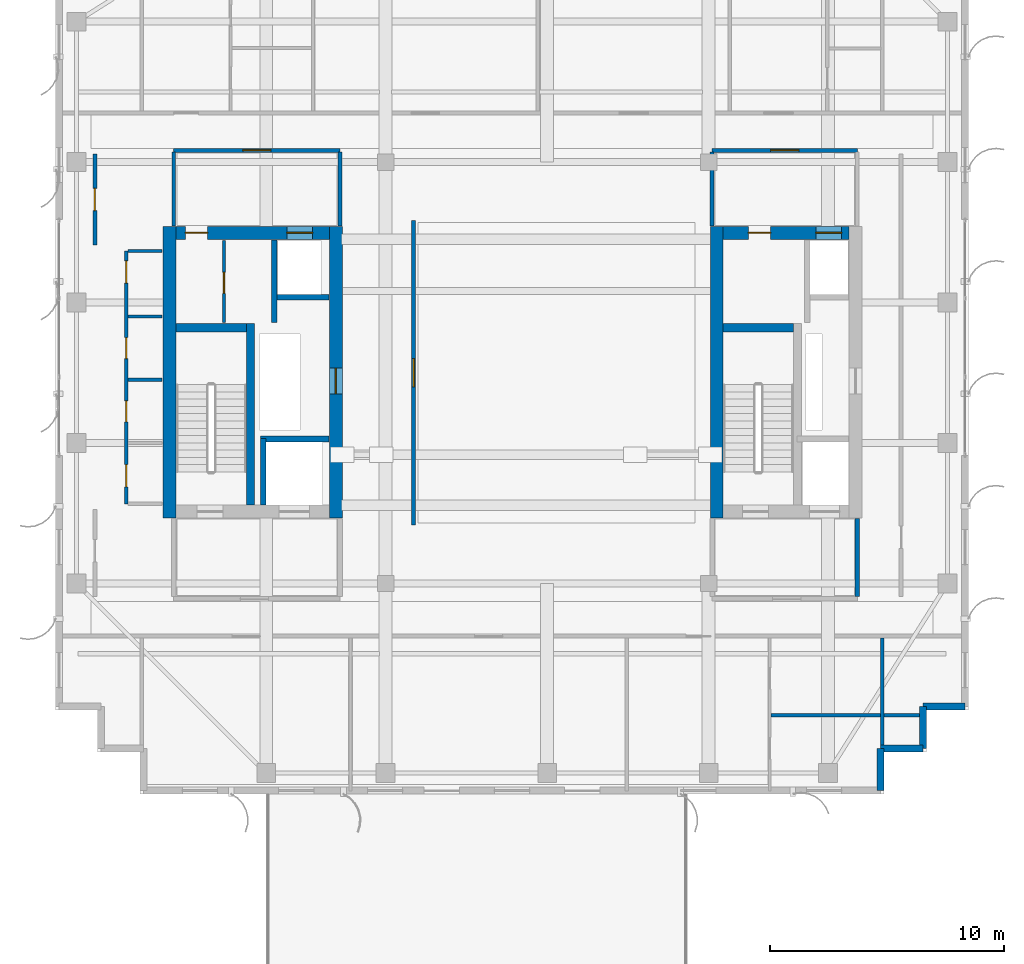
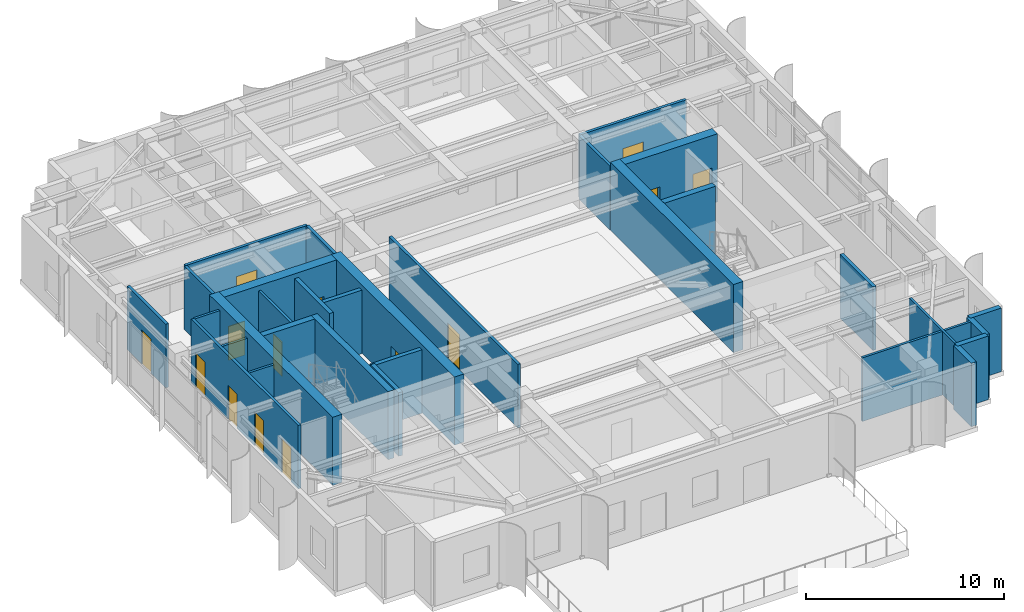
# One storey, part 14 of 19: 31 walls, 14 doors, 14 openings.
"""IFC4 building model written with IfcOpenShell, lengths in metres."""

import ifcopenshell
import ifcopenshell.guid

model = None  # the IFC model being written
_history = None  # IfcOwnerHistory: only IFC2X3 demands one
_inside = {}  # id of a spatial element -> (the spatial element, [elements in it])
_under = {}  # id of a project, library or spatial element -> (it, [spatial elements below it])
_declared = {}  # id of a project -> (the project, [libraries it declares])
_typed = {}  # id of a type object -> (the type object, [elements of that type])
_made_of = {}  # id of a material, layer set ... -> (it, [elements and type objects made of it])


def new_model(schema):
    """Start an empty IFC model of exactly this schema.

    Asked for "IFC4X3", IfcOpenShell would pick the latest addendum, in which some entities
    have other attributes; the version numbers below select the first issue.
    IFC2X3 requires an IfcOwnerHistory on every rooted entity: one is made here for all.
    """
    global model, _history
    if schema == "IFC4X3":
        model = ifcopenshell.file(schema_version=(4, 3, 0, 0))
    else:
        model = ifcopenshell.file(schema=schema)
    _inside.clear()
    _under.clear()
    _declared.clear()
    _typed.clear()
    _made_of.clear()
    _history = None
    if model.schema == "IFC2X3":
        org = make("IfcOrganization", Name="unknown")
        user = make(
            "IfcPersonAndOrganization",
            ThePerson=make("IfcPerson", FamilyName="unknown"),
            TheOrganization=org,
        )
        app = make(
            "IfcApplication",
            ApplicationDeveloper=org,
            Version="unknown",
            ApplicationFullName="unknown",
            ApplicationIdentifier="unknown",
        )
        _history = make(
            "IfcOwnerHistory",
            OwningUser=user,
            OwningApplication=app,
            ChangeAction="ADDED",
            CreationDate=0,
        )
    return model


def make(cls, **values):
    """One entity of the class cls with the attributes given. An attribute that is None is left unset."""
    return model.create_entity(
        cls, **{name: value for name, value in values.items() if value is not None}
    )


def rooted(cls, **values):
    """An entity with a GlobalId (a new one), such as an element, a storey or a relation."""
    return make(cls, GlobalId=ifcopenshell.guid.new(), OwnerHistory=_history, **values)


def si_unit(unit_type, name, prefix=None):
    """IfcSIUnit, for example si_unit("LENGTHUNIT", "METRE", prefix="MILLI")."""
    return make("IfcSIUnit", UnitType=unit_type, Prefix=prefix, Name=name)


def assignment(units):
    """IfcUnitAssignment: the units of a project."""
    return None if units is None else make("IfcUnitAssignment", Units=units)


def point(xyz):
    """IfcCartesianPoint."""
    return None if xyz is None else make("IfcCartesianPoint", Coordinates=xyz)


def direction(xyz):
    """IfcDirection."""
    return None if xyz is None else make("IfcDirection", DirectionRatios=xyz)


def frame(location, z_axis=None, x_axis=None):
    """IfcAxis2Placement3D, a coordinate frame: its origin and axes. An axis left out is left unset."""
    return make(
        "IfcAxis2Placement3D",
        Location=point(location),
        Axis=direction(z_axis),
        RefDirection=direction(x_axis),
    )


def frame_2d(location, x_axis=None):
    """IfcAxis2Placement2D, a coordinate frame in the plane: its origin and x axis."""
    return make(
        "IfcAxis2Placement2D", Location=point(location), RefDirection=direction(x_axis)
    )


def origin():
    """The frame at (0, 0, 0) with its axes left unset."""
    return frame((0.0, 0.0, 0.0))


def place(relative_to, where):
    """IfcLocalPlacement: puts the frame where relative to a parent placement (None: the world)."""
    return make(
        "IfcLocalPlacement", PlacementRelTo=relative_to, RelativePlacement=where
    )


def context(
    kind, dimensions, precision=None, world=None, true_north=None, identifier=None
):
    """IfcGeometricRepresentationContext, for example the 3D "Model" context."""
    return make(
        "IfcGeometricRepresentationContext",
        ContextIdentifier=identifier,
        ContextType=kind,
        CoordinateSpaceDimension=dimensions,
        Precision=precision,
        WorldCoordinateSystem=world,
        TrueNorth=true_north,
    )


def subcontext(parent, identifier, kind, view, scale=None):
    """IfcGeometricRepresentationSubContext, for example "Body" below "Model"."""
    return make(
        "IfcGeometricRepresentationSubContext",
        ContextIdentifier=identifier,
        ContextType=kind,
        ParentContext=parent,
        TargetScale=scale,
        TargetView=view,
    )


def project(units=None, contexts=None):
    """IfcProject with its units and contexts."""
    return rooted(
        "IfcProject",
        Name="project",
        RepresentationContexts=contexts,
        UnitsInContext=assignment(units),
    )


def spatial(cls, under=None, at=None, **own):
    """A site, building, storey or space (cls), placed at a placement, below another one or the project."""
    s = rooted(cls, ObjectPlacement=at, **own)
    if under is not None:
        _under.setdefault(under.id(), (under, []))[1].append(s)
    return s


def profile(cls, at=None, kind="AREA", **sizes):
    """A parametric profile (cls). Its sizes go by their IFC names, for example OverallWidth=200.0."""
    return make(cls, ProfileType=kind, Position=at, **sizes)


def rectangle(**sizes):
    """IfcRectangleProfileDef."""
    return profile("IfcRectangleProfileDef", **sizes)


def extrude(swept, where, along, depth):
    """IfcExtrudedAreaSolid: the profile swept, set in the frame where, extruded along a direction by depth."""
    return make(
        "IfcExtrudedAreaSolid",
        SweptArea=swept,
        Position=where,
        ExtrudedDirection=direction(along),
        Depth=depth,
    )


def shape(context_of_items, identifier, shape_type, items):
    """IfcShapeRepresentation: the items that make up one representation, for example the "Body"."""
    return make(
        "IfcShapeRepresentation",
        ContextOfItems=context_of_items,
        RepresentationIdentifier=identifier,
        RepresentationType=shape_type,
        Items=items,
    )


def source(mapping_origin, context_of_items, identifier, shape_type, items):
    """IfcRepresentationMap: a shape defined once, which mapped items show again and again."""
    return make(
        "IfcRepresentationMap",
        MappingOrigin=mapping_origin,
        MappedRepresentation=shape(context_of_items, identifier, shape_type, items),
    )


def transform(
    local_origin,
    x_axis=None,
    y_axis=None,
    z_axis=None,
    scale=None,
    scale2=None,
    scale3=None,
    uniform=True,
):
    """IfcCartesianTransformationOperator3D, or its non-uniform kind. x_axis, y_axis, z_axis: its Axis1, 2, 3."""
    if uniform:
        return make(
            "IfcCartesianTransformationOperator3D",
            Axis1=direction(x_axis),
            Axis2=direction(y_axis),
            LocalOrigin=point(local_origin),
            Scale=scale,
            Axis3=direction(z_axis),
        )
    return make(
        "IfcCartesianTransformationOperator3DnonUniform",
        Axis1=direction(x_axis),
        Axis2=direction(y_axis),
        LocalOrigin=point(local_origin),
        Scale=scale,
        Axis3=direction(z_axis),
        Scale2=scale2,
        Scale3=scale3,
    )


def mapped(mapping_source, mapping_target):
    """IfcMappedItem: shows the shape of a source again, moved by a transform."""
    return make(
        "IfcMappedItem", MappingSource=mapping_source, MappingTarget=mapping_target
    )


def material(Name=None, Category=None):
    """IfcMaterial."""
    return make("IfcMaterial", Name=Name, Category=Category)


def layer(
    of_material, thickness, ventilated=None, Name=None, Category=None, Priority=None
):
    """IfcMaterialLayer: one layer of a wall or slab, of a material (None: an air gap)."""
    return make(
        "IfcMaterialLayer",
        Material=of_material,
        LayerThickness=thickness,
        IsVentilated=ventilated,
        Name=Name,
        Category=Category,
        Priority=Priority,
    )


def layer_set(layers, Name=None):
    """IfcMaterialLayerSet."""
    return make("IfcMaterialLayerSet", MaterialLayers=layers, LayerSetName=Name)


def made_of(thing, what):
    """Note that an element or type object is made of a material, layer set ...; save() writes the relation."""
    if what is not None:
        _made_of.setdefault(what.id(), (what, []))[1].append(thing)
    return thing


def type_object(cls, material=None, **own):
    """A type object (cls), such as IfcWallType, which elements share."""
    return made_of(rooted(cls, **own), material)


def element(
    cls,
    number,
    at=None,
    inside=None,
    cuts=None,
    type_object=None,
    material=None,
    context=None,
    identifier="Body",
    shape_type=None,
    held_by="IfcProductDefinitionShape",
    body=None,
    shapes=None,
    **own,
):
    """One element of the class cls, such as IfcWall. Its Tag is "e" and its number.

    at: its placement. inside: the storey or other place that contains it. cuts: it is an
    opening in that element (IfcRelVoidsElement). A single representation is given by context,
    identifier, shape_type and body (its items); several are given by shapes. held_by: the class
    of the entity that holds the representations. save() writes the other relations.
    """
    e = rooted(cls, Tag="e%d" % number, ObjectPlacement=at, **own)
    if body is not None:
        shapes = [shape(context, identifier, shape_type, body)]
    if shapes is not None:
        e.Representation = make(held_by, Representations=shapes)
    if inside is not None:
        _inside.setdefault(inside.id(), (inside, []))[1].append(e)
    if cuts is not None:
        rooted(
            "IfcRelVoidsElement", RelatingBuildingElement=cuts, RelatedOpeningElement=e
        )
    if type_object is not None:
        _typed.setdefault(type_object.id(), (type_object, []))[1].append(e)
    return made_of(e, material)


def fill(opening, filler):
    """IfcRelFillsElement: the door or window that sits in an opening."""
    return rooted(
        "IfcRelFillsElement",
        RelatingOpeningElement=opening,
        RelatedBuildingElement=filler,
    )


def aggregate(whole, parts):
    """IfcRelAggregates: a whole, such as a stair, and the parts it consists of."""
    return rooted("IfcRelAggregates", RelatingObject=whole, RelatedObjects=parts)


def save(model, path):
    """Write the relations noted so far, then the file.

    IfcRelAggregates (storeys below a building ...), IfcRelContainedInSpatialStructure (elements
    in a storey), IfcRelDefinesByType, IfcRelAssociatesMaterial and IfcRelDeclares: one each for
    every whole, place, type object, material and project.
    """
    for whole, parts in _under.values():
        aggregate(whole, parts)
    for where, things in _inside.values():
        rooted(
            "IfcRelContainedInSpatialStructure",
            RelatedElements=things,
            RelatingStructure=where,
        )
    for kind, things in _typed.values():
        rooted("IfcRelDefinesByType", RelatedObjects=things, RelatingType=kind)
    for what, things in _made_of.values():
        rooted("IfcRelAssociatesMaterial", RelatedObjects=things, RelatingMaterial=what)
    for by, libraries in _declared.values():
        rooted("IfcRelDeclares", RelatingContext=by, RelatedDefinitions=libraries)
    model.write(path)


model = new_model("IFC4")

# Units and contexts
model_context = context("Model", 3, precision=1e-05, world=origin(), true_north=direction((0.0, 1.0)))
body_context = subcontext(model_context, "Body", "Model", "MODEL_VIEW")
ifc_project = project(units=[si_unit("LENGTHUNIT", "METRE"), si_unit("AREAUNIT", "SQUARE_METRE"), si_unit("VOLUMEUNIT", "CUBIC_METRE"), si_unit("PLANEANGLEUNIT", "RADIAN"), si_unit("MASSUNIT", "GRAM", prefix="KILO")], contexts=[model_context])

# Site, building, storey
site_placement = place(None, origin())
site = spatial("IfcSite", under=ifc_project, at=site_placement, CompositionType="ELEMENT")
building_placement = place(site_placement, origin())
building = spatial("IfcBuilding", under=site, at=building_placement, Name="Khoralis Quay Care Tower", CompositionType="ELEMENT")
storey_placement = place(building_placement, frame((0.0, 0.0, 285.300048828125)))
storey = spatial("IfcBuildingStorey", under=building, at=storey_placement, Name="L75", CompositionType="ELEMENT", Elevation=285.300048828125)

# Walls
ifc_material_1 = material(Name="Gypsum plasterboard on acoustic metal stud")
ifc_layer_1 = layer(ifc_material_1, 0.199951171875)
ifc_layer_set_1 = layer_set([ifc_layer_1], Name="Gypsum plasterboard on acoustic metal stud")
wall_type_1 = type_object("IfcWallType", Name="WL-COMP-200", PredefinedType="PARTITIONING", material=ifc_layer_set_1)
wall_1_placement = place(storey_placement, frame((37.25, 11.445068359375, 0.0), z_axis=(0.0, 0.0, 1.0), x_axis=(0.0, 1.0, 0.0)))
element("IfcWall", 1, at=wall_1_placement, inside=storey, type_object=wall_type_1, Name="L75 East Firefighting Lobby East Wall", PredefinedType="PARTITIONING", context=body_context, shape_type="SweptSolid", body=[
    extrude(rectangle(XDim=3.3349609375, YDim=0.199951171875, at=frame_2d((1.66748046875, 0.0))), origin(), (0.0, 0.0, 1.0), 3.919921875),
])
ifc_material_2 = material(Name="Concrete C65/80", Category="concrete")
ifc_layer_2 = layer(ifc_material_2, 0.550048828125)
ifc_layer_set_2 = layer_set([ifc_layer_2], Name="Concrete C65/80")
wall_type_2 = type_object("IfcWallType", Name="WL-CORE-550", PredefinedType="SHEAR", material=ifc_layer_set_2)
wall_2_placement = place(storey_placement, frame((7.875, 14.800048828125, 0.0), z_axis=(0.0, 0.0, 1.0), x_axis=(0.0, 1.0, 0.0)))
element("IfcWall", 2, at=wall_2_placement, inside=storey, type_object=wall_type_2, Name="L75 WCORE West Shear Wall", PredefinedType="SHEAR", context=body_context, shape_type="SweptSolid", body=[
    extrude(rectangle(XDim=12.449951171875, YDim=0.550048828125, at=frame_2d((6.22509765625, 0.0))), origin(), (0.0, 0.0, 1.0), 4.199951171875),
])

# Wall, opening, door
wall_3_placement = place(storey_placement, frame((14.97509765625, 14.800048828125, 0.0), z_axis=(0.0, 0.0, 1.0), x_axis=(0.0, 1.0, 0.0)))
wall_3 = element("IfcWall", 3, at=wall_3_placement, inside=storey, type_object=wall_type_2, Name="L75 WCORE East Shear Wall", PredefinedType="SHEAR", context=body_context, shape_type="SweptSolid", body=[
    extrude(rectangle(XDim=12.449951171875, YDim=0.550048828125, at=frame_2d((6.22509765625, 0.0))), origin(), (0.0, 0.0, 1.0), 4.199951171875),
])
opening_1_placement = place(wall_3_placement, frame((5.300048828125, 0.0, 0.0)))
opening_1 = element("IfcOpeningElement", 4, at=opening_1_placement, cuts=wall_3, Name="Opening SD1", PredefinedType="OPENING", context=body_context, shape_type="SweptSolid", body=[
    extrude(rectangle(XDim=1.10009765625, YDim=2.199951171875, at=frame_2d((0.550048828125, 1.10009765625))), frame((0.0, 0.28515625, 0.0), z_axis=(0.0, -1.0, 0.0), x_axis=(1.0, 0.0, 0.0)), (0.0, 0.0, 1.0), 0.570068359375),
])
ifc_material_3 = material(Name="Fire-rated painted steel", Category="steel")
door_type_1 = type_object("IfcDoorType", Name="DR-STAIR-1100X2200", OperationType="NOTDEFINED", PredefinedType="DOOR", material=ifc_material_3)
shared_shape_1 = source(origin(), body_context, "Body", "SweptSolid", [
    extrude(rectangle(XDim=1.10009765625, YDim=2.199951171875, at=frame_2d((0.550048828125, 1.10009765625))), frame((0.0, 0.02490234375, 0.0), z_axis=(0.0, -1.0, 0.0), x_axis=(1.0, 0.0, 0.0)), (0.0, 0.0, 1.0), 0.050048828125),
])
door_1_placement = place(opening_1_placement, origin())
door_1 = element("IfcDoor", 5, at=door_1_placement, inside=storey, type_object=door_type_1, Name="L75 West MEP Riser Door", OperationType="SINGLE_SWING_LEFT", OverallHeight=2.199951171875, OverallWidth=1.10009765625, PredefinedType="DOOR", context=body_context, shape_type="MappedRepresentation", body=[
    mapped(shared_shape_1, transform((0.0, 0.0, 0.0), scale=1.0)),
])
fill(opening_1, door_1)

# Wall, openings, doors
wall_4_placement = place(storey_placement, frame((8.14990234375, 26.97509765625, 0.0), z_axis=(0.0, 0.0, 1.0), x_axis=(1.0, 0.0, 0.0)))
wall_4 = element("IfcWall", 6, at=wall_4_placement, inside=storey, type_object=wall_type_2, Name="L75 WCORE North Shear Wall", PredefinedType="SHEAR", context=body_context, shape_type="SweptSolid", body=[
    extrude(rectangle(XDim=6.550048828125, YDim=0.550048828125, at=frame_2d((3.27490234375, 0.0))), origin(), (0.0, 0.0, 1.0), 4.199951171875),
])
opening_2_placement = place(wall_4_placement, frame((0.39990234375, 0.0, 0.0)))
opening_2 = element("IfcOpeningElement", 7, at=opening_2_placement, cuts=wall_4, Name="Opening ID1", PredefinedType="OPENING", context=body_context, shape_type="SweptSolid", body=[
    extrude(rectangle(XDim=0.949951171875, YDim=2.10009765625, at=frame_2d((0.47509765625, 1.050048828125))), frame((0.0, 0.28515625, 0.0), z_axis=(0.0, -1.0, 0.0), x_axis=(1.0, 0.0, 0.0)), (0.0, 0.0, 1.0), 0.570068359375),
])
opening_3_placement = place(wall_4_placement, frame((4.72998046875, 0.0, 0.0)))
opening_3 = element("IfcOpeningElement", 8, at=opening_3_placement, cuts=wall_4, Name="Opening LD1", PredefinedType="OPENING", context=body_context, shape_type="SweptSolid", body=[
    extrude(rectangle(XDim=1.10009765625, YDim=2.199951171875, at=frame_2d((0.550048828125, 1.10009765625))), frame((0.0, 0.28515625, 0.0), z_axis=(0.0, -1.0, 0.0), x_axis=(1.0, 0.0, 0.0)), (0.0, 0.0, 1.0), 0.570068359375),
])
ifc_material_4 = material(Name="Brushed stainless steel", Category="steel")
door_type_2 = type_object("IfcDoorType", Name="DR-LIFT-1100X2200", OperationType="SLIDING_TO_LEFT", PredefinedType="DOOR", material=ifc_material_4)
shared_shape_2 = source(origin(), body_context, "Body", "SweptSolid", [
    extrude(rectangle(XDim=1.10009765625, YDim=2.199951171875, at=frame_2d((0.550048828125, 1.10009765625))), frame((0.0, 0.02490234375, 0.0), z_axis=(0.0, -1.0, 0.0), x_axis=(1.0, 0.0, 0.0)), (0.0, 0.0, 1.0), 0.050048828125),
])
door_2_placement = place(opening_3_placement, origin())
door_2 = element("IfcDoor", 9, at=door_2_placement, inside=storey, type_object=door_type_2, Name="L75 Lift PLH1 Landing Door", OperationType="SLIDING_TO_LEFT", OverallHeight=2.199951171875, OverallWidth=1.10009765625, PredefinedType="DOOR", context=body_context, shape_type="MappedRepresentation", body=[
    mapped(shared_shape_2, transform((0.0, 0.0, 0.0), scale=1.0)),
])
fill(opening_3, door_2)
ifc_material_5 = material(Name="Acoustic hardwood timber", Category="wood")
door_type_3 = type_object("IfcDoorType", Name="DR-ROOM-950X2100", OperationType="NOTDEFINED", PredefinedType="DOOR", material=ifc_material_5)
shared_shape_3 = source(origin(), body_context, "Body", "SweptSolid", [
    extrude(rectangle(XDim=0.949951171875, YDim=2.10009765625, at=frame_2d((0.47509765625, 1.050048828125))), frame((0.0, 0.02490234375, 0.0), z_axis=(0.0, -1.0, 0.0), x_axis=(1.0, 0.0, 0.0)), (0.0, 0.0, 1.0), 0.050048828125),
])
door_3_placement = place(opening_2_placement, frame((0.949951171875, 0.0, 0.0), z_axis=(0.0, 0.0, 1.0), x_axis=(-1.0, 0.0, 0.0)))
door_3 = element("IfcDoor", 10, at=door_3_placement, inside=storey, type_object=door_type_3, Name="L75 Telemetry Study Door", OperationType="SINGLE_SWING_LEFT", OverallHeight=2.10009765625, OverallWidth=0.949951171875, PredefinedType="DOOR", context=body_context, shape_type="MappedRepresentation", body=[
    mapped(shared_shape_3, transform((0.0, 0.0, 0.0), scale=1.0)),
])
fill(opening_2, door_3)

# Wall
wall_5_placement = place(storey_placement, frame((31.2451171875, 14.800048828125, 0.0), z_axis=(0.0, 0.0, 1.0), x_axis=(0.0, 1.0, 0.0)))
element("IfcWall", 11, at=wall_5_placement, inside=storey, type_object=wall_type_2, Name="L75 ECORE West Shear Wall", PredefinedType="SHEAR", context=body_context, shape_type="SweptSolid", body=[
    extrude(rectangle(XDim=12.449951171875, YDim=0.550048828125, at=frame_2d((6.22509765625, 0.0))), origin(), (0.0, 0.0, 1.0), 4.199951171875),
])

# Wall, openings, doors
wall_6_placement = place(storey_placement, frame((31.52001953125, 26.97509765625, 0.0), z_axis=(0.0, 0.0, 1.0), x_axis=(1.0, 0.0, 0.0)))
wall_6 = element("IfcWall", 12, at=wall_6_placement, inside=storey, type_object=wall_type_2, Name="L75 ECORE North Shear Wall", PredefinedType="SHEAR", context=body_context, shape_type="SweptSolid", body=[
    extrude(rectangle(XDim=5.3798828125, YDim=0.550048828125, at=frame_2d((2.68994140625, 0.0))), origin(), (0.0, 0.0, 1.0), 4.199951171875),
])
opening_4_placement = place(wall_6_placement, frame((1.080078125, 0.0, 0.0)))
opening_4 = element("IfcOpeningElement", 13, at=opening_4_placement, cuts=wall_6, Name="Opening ID1", PredefinedType="OPENING", context=body_context, shape_type="SweptSolid", body=[
    extrude(rectangle(XDim=0.949951171875, YDim=2.10009765625, at=frame_2d((0.47509765625, 1.050048828125))), frame((0.0, 0.28515625, 0.0), z_axis=(0.0, -1.0, 0.0), x_axis=(1.0, 0.0, 0.0)), (0.0, 0.0, 1.0), 0.570068359375),
])
opening_5_placement = place(wall_6_placement, frame((3.9599609375, 0.0, 0.0)))
opening_5 = element("IfcOpeningElement", 14, at=opening_5_placement, cuts=wall_6, Name="Opening LD1", PredefinedType="OPENING", context=body_context, shape_type="SweptSolid", body=[
    extrude(rectangle(XDim=1.10009765625, YDim=2.199951171875, at=frame_2d((0.550048828125, 1.10009765625))), frame((0.0, 0.28515625, 0.0), z_axis=(0.0, -1.0, 0.0), x_axis=(1.0, 0.0, 0.0)), (0.0, 0.0, 1.0), 0.570068359375),
])
door_4_placement = place(opening_5_placement, origin())
door_4 = element("IfcDoor", 15, at=door_4_placement, inside=storey, type_object=door_type_2, Name="L75 Lift PLH2 Landing Door", OperationType="SLIDING_TO_LEFT", OverallHeight=2.199951171875, OverallWidth=1.10009765625, PredefinedType="DOOR", context=body_context, shape_type="MappedRepresentation", body=[
    mapped(shared_shape_2, transform((0.0, 0.0, 0.0), scale=1.0)),
])
fill(opening_5, door_4)
door_5_placement = place(opening_4_placement, frame((0.949951171875, 0.0, 0.0), z_axis=(0.0, 0.0, 1.0), x_axis=(-1.0, 0.0, 0.0)))
door_5 = element("IfcDoor", 16, at=door_5_placement, inside=storey, type_object=door_type_3, Name="L75 Rehab Gym Door", OperationType="SINGLE_SWING_RIGHT", OverallHeight=2.10009765625, OverallWidth=0.949951171875, PredefinedType="DOOR", context=body_context, shape_type="MappedRepresentation", body=[
    mapped(shared_shape_3, transform((0.0, 0.0, 0.0), scale=1.0)),
])
fill(opening_4, door_5)

# Wall, opening, door
ifc_layer_3 = layer(ifc_material_1, 0.1650390625)
ifc_layer_set_3 = layer_set([ifc_layer_3], Name="Gypsum plasterboard on acoustic metal stud")
wall_type_3 = type_object("IfcWallType", Name="WL-CORR-165", PredefinedType="PARTITIONING", material=ifc_layer_set_3)
wall_7_placement = place(storey_placement, frame((8.050048828125, 30.5, 0.0), z_axis=(0.0, 0.0, 1.0), x_axis=(1.0, 0.0, 0.0)))
wall_7 = element("IfcWall", 17, at=wall_7_placement, inside=storey, type_object=wall_type_3, Name="L75 West Lift Lobby North Wall", PredefinedType="PARTITIONING", context=body_context, shape_type="SweptSolid", body=[
    extrude(rectangle(XDim=7.099853515625, YDim=0.1650390625, at=frame_2d((3.5498046875, 0.0))), origin(), (0.0, 0.0, 1.0), 3.919921875),
])
opening_6_placement = place(wall_7_placement, frame((2.949951171875, 0.0, 0.0)))
opening_6 = element("IfcOpeningElement", 18, at=opening_6_placement, cuts=wall_7, Name="Opening FD1", PredefinedType="OPENING", context=body_context, shape_type="SweptSolid", body=[
    extrude(rectangle(XDim=1.199951171875, YDim=2.199951171875, at=frame_2d((0.60009765625, 1.10009765625))), frame((0.0, 0.092529296875, 0.0), z_axis=(0.0, -1.0, 0.0), x_axis=(1.0, 0.0, 0.0)), (0.0, 0.0, 1.0), 0.18505859375),
])
door_type_4 = type_object("IfcDoorType", Name="DR-FFL-1200X2200", OperationType="NOTDEFINED", PredefinedType="DOOR", material=ifc_material_3)
shared_shape_4 = source(origin(), body_context, "Body", "SweptSolid", [
    extrude(rectangle(XDim=1.199951171875, YDim=2.199951171875, at=frame_2d((0.60009765625, 1.10009765625))), frame((0.0, 0.02490234375, 0.0), z_axis=(0.0, -1.0, 0.0), x_axis=(1.0, 0.0, 0.0)), (0.0, 0.0, 1.0), 0.050048828125),
])
door_6_placement = place(opening_6_placement, origin())
door_6 = element("IfcDoor", 19, at=door_6_placement, inside=storey, type_object=door_type_4, Name="L75 West Lift Lobby Double Door", OperationType="DOUBLE_DOOR_SINGLE_SWING", OverallHeight=2.199951171875, OverallWidth=1.199951171875, PredefinedType="DOOR", context=body_context, shape_type="MappedRepresentation", body=[
    mapped(shared_shape_4, transform((0.0, 0.0, 0.0), scale=1.0)),
])
fill(opening_6, door_6)

# Walls
for number, where, z_axis, x_axis, name in (
    (20, (8.050048828125, 27.27001953125, 0.0), (0.0, 0.0, 1.0), (0.0, 1.0, 0.0), "L75 West Lift Lobby West Wall"),
    (21, (15.14990234375, 27.27001953125, 0.0), (0.0, 0.0, 1.0), (0.0, 1.0, 0.0), "L75 West Lift Lobby East Wall"),
):
    element("IfcWall", number, at=place(storey_placement, frame(where, z_axis=z_axis, x_axis=x_axis)), inside=storey, type_object=wall_type_3, Name=name, PredefinedType="PARTITIONING", context=body_context, shape_type="SweptSolid", body=[
        extrude(rectangle(XDim=3.152587890625, YDim=0.1650390625, at=frame_2d((1.576171875, 0.0))), origin(), (0.0, 0.0, 1.0), 3.919921875),
    ])

# Wall, opening, door
wall_8_placement = place(storey_placement, frame((31.050048828125, 30.5, 0.0), z_axis=(0.0, 0.0, 1.0), x_axis=(1.0, 0.0, 0.0)))
wall_8 = element("IfcWall", 22, at=wall_8_placement, inside=storey, type_object=wall_type_3, Name="L75 East Lift Lobby North Wall", PredefinedType="PARTITIONING", context=body_context, shape_type="SweptSolid", body=[
    extrude(rectangle(XDim=6.199951171875, YDim=0.1650390625, at=frame_2d((3.10009765625, 0.0))), origin(), (0.0, 0.0, 1.0), 3.919921875),
])
opening_7_placement = place(wall_8_placement, frame((2.5, 0.0, 0.0)))
opening_7 = element("IfcOpeningElement", 23, at=opening_7_placement, cuts=wall_8, Name="Opening FD1", PredefinedType="OPENING", context=body_context, shape_type="SweptSolid", body=[
    extrude(rectangle(XDim=1.199951171875, YDim=2.199951171875, at=frame_2d((0.60009765625, 1.10009765625))), frame((0.0, 0.092529296875, 0.0), z_axis=(0.0, -1.0, 0.0), x_axis=(1.0, 0.0, 0.0)), (0.0, 0.0, 1.0), 0.18505859375),
])
door_7_placement = place(opening_7_placement, origin())
door_7 = element("IfcDoor", 24, at=door_7_placement, inside=storey, type_object=door_type_4, Name="L75 East Lift Lobby Double Door", OperationType="DOUBLE_DOOR_SINGLE_SWING", OverallHeight=2.199951171875, OverallWidth=1.199951171875, PredefinedType="DOOR", context=body_context, shape_type="MappedRepresentation", body=[
    mapped(shared_shape_4, transform((0.0, 0.0, 0.0), scale=1.0)),
])
fill(opening_7, door_7)

# Wall
wall_9_placement = place(storey_placement, frame((31.050048828125, 27.27001953125, 0.0), z_axis=(0.0, 0.0, 1.0), x_axis=(0.0, 1.0, 0.0)))
element("IfcWall", 25, at=wall_9_placement, inside=storey, type_object=wall_type_3, Name="L75 East Lift Lobby West Wall", PredefinedType="PARTITIONING", context=body_context, shape_type="SweptSolid", body=[
    extrude(rectangle(XDim=3.152587890625, YDim=0.1650390625, at=frame_2d((1.576171875, 0.0))), origin(), (0.0, 0.0, 1.0), 3.919921875),
])

# Wall, openings, doors
wall_10_placement = place(storey_placement, frame((6.02001953125, 15.39990234375, 0.0), z_axis=(0.0, 0.0, 1.0), x_axis=(0.0, 1.0, 0.0)))
wall_10 = element("IfcWall", 26, at=wall_10_placement, inside=storey, type_object=wall_type_3, Name="L75 West Core Service Flank Wall", PredefinedType="PARTITIONING", context=body_context, shape_type="SweptSolid", body=[
    extrude(rectangle(XDim=10.800048828125, YDim=0.1650390625, at=frame_2d((5.39990234375, 0.0))), origin(), (0.0, 0.0, 1.0), 3.919921875),
])
opening_8_placement = place(wall_10_placement, frame((0.72509765625, 0.0, 0.0)))
opening_8 = element("IfcOpeningElement", 27, at=opening_8_placement, cuts=wall_10, Name="Opening ID1", PredefinedType="OPENING", context=body_context, shape_type="SweptSolid", body=[
    extrude(rectangle(XDim=0.949951171875, YDim=2.10009765625, at=frame_2d((0.47509765625, 1.050048828125))), frame((0.0, 0.092529296875, 0.0), z_axis=(0.0, -1.0, 0.0), x_axis=(1.0, 0.0, 0.0)), (0.0, 0.0, 1.0), 0.18505859375),
])
opening_9_placement = place(wall_10_placement, frame((3.5, 0.0, 0.0)))
opening_9 = element("IfcOpeningElement", 28, at=opening_9_placement, cuts=wall_10, Name="Opening WD1", PredefinedType="OPENING", context=body_context, shape_type="SweptSolid", body=[
    extrude(rectangle(XDim=0.89990234375, YDim=2.10009765625, at=frame_2d((0.449951171875, 1.050048828125))), frame((0.0, 0.092529296875, 0.0), z_axis=(0.0, -1.0, 0.0), x_axis=(1.0, 0.0, 0.0)), (0.0, 0.0, 1.0), 0.18505859375),
])
opening_10_placement = place(wall_10_placement, frame((6.199951171875, 0.0, 0.0)))
opening_10 = element("IfcOpeningElement", 29, at=opening_10_placement, cuts=wall_10, Name="Opening WD1", PredefinedType="OPENING", context=body_context, shape_type="SweptSolid", body=[
    extrude(rectangle(XDim=0.89990234375, YDim=2.10009765625, at=frame_2d((0.449951171875, 1.050048828125))), frame((0.0, 0.092529296875, 0.0), z_axis=(0.0, -1.0, 0.0), x_axis=(1.0, 0.0, 0.0)), (0.0, 0.0, 1.0), 0.18505859375),
])
opening_11_placement = place(wall_10_placement, frame((9.425048828125, 0.0, 0.0)))
opening_11 = element("IfcOpeningElement", 30, at=opening_11_placement, cuts=wall_10, Name="Opening ID1", PredefinedType="OPENING", context=body_context, shape_type="SweptSolid", body=[
    extrude(rectangle(XDim=0.949951171875, YDim=2.10009765625, at=frame_2d((0.47509765625, 1.050048828125))), frame((0.0, 0.092529296875, 0.0), z_axis=(0.0, -1.0, 0.0), x_axis=(1.0, 0.0, 0.0)), (0.0, 0.0, 1.0), 0.18505859375),
])
door_type_5 = type_object("IfcDoorType", Name="DR-BATH-900X2100", OperationType="NOTDEFINED", PredefinedType="DOOR", material=ifc_material_5)
shared_shape_5 = source(origin(), body_context, "Body", "SweptSolid", [
    extrude(rectangle(XDim=0.89990234375, YDim=2.10009765625, at=frame_2d((0.449951171875, 1.050048828125))), frame((0.0, 0.02490234375, 0.0), z_axis=(0.0, -1.0, 0.0), x_axis=(1.0, 0.0, 0.0)), (0.0, 0.0, 1.0), 0.050048828125),
])
door_8_placement = place(opening_9_placement, frame((0.89990234375, 0.0, 0.0), z_axis=(0.0, 0.0, 1.0), x_axis=(-1.0, 0.0, 0.0)))
door_8 = element("IfcDoor", 31, at=door_8_placement, inside=storey, type_object=door_type_5, Name="L75 Public Accessible WC Door", OperationType="SINGLE_SWING_LEFT", OverallHeight=2.10009765625, OverallWidth=0.89990234375, PredefinedType="DOOR", context=body_context, shape_type="MappedRepresentation", body=[
    mapped(shared_shape_5, transform((0.0, 0.0, 0.0), scale=1.0)),
])
fill(opening_9, door_8)
door_9_placement = place(opening_10_placement, frame((0.89990234375, 0.0, 0.0), z_axis=(0.0, 0.0, 1.0), x_axis=(-1.0, 0.0, 0.0)))
door_9 = element("IfcDoor", 32, at=door_9_placement, inside=storey, type_object=door_type_5, Name="L75 Staff Accessible WC Door", OperationType="SINGLE_SWING_RIGHT", OverallHeight=2.10009765625, OverallWidth=0.89990234375, PredefinedType="DOOR", context=body_context, shape_type="MappedRepresentation", body=[
    mapped(shared_shape_5, transform((0.0, 0.0, 0.0), scale=1.0)),
])
fill(opening_10, door_9)
door_10_placement = place(opening_8_placement, frame((0.949951171875, 0.0, 0.0), z_axis=(0.0, 0.0, 1.0), x_axis=(-1.0, 0.0, 0.0)))
door_10 = element("IfcDoor", 33, at=door_10_placement, inside=storey, type_object=door_type_3, Name="L75 Housekeeping Store Door", OperationType="SINGLE_SWING_RIGHT", OverallHeight=2.10009765625, OverallWidth=0.949951171875, PredefinedType="DOOR", context=body_context, shape_type="MappedRepresentation", body=[
    mapped(shared_shape_3, transform((0.0, 0.0, 0.0), scale=1.0)),
])
fill(opening_8, door_10)
door_11_placement = place(opening_11_placement, frame((0.949951171875, 0.0, 0.0), z_axis=(0.0, 0.0, 1.0), x_axis=(-1.0, 0.0, 0.0)))
door_11 = element("IfcDoor", 34, at=door_11_placement, inside=storey, type_object=door_type_3, Name="L75 Telecom IDF Room Door", OperationType="SINGLE_SWING_LEFT", OverallHeight=2.10009765625, OverallWidth=0.949951171875, PredefinedType="DOOR", context=body_context, shape_type="MappedRepresentation", body=[
    mapped(shared_shape_3, transform((0.0, 0.0, 0.0), scale=1.0)),
])
fill(opening_11, door_11)

# Wall, opening, door
wall_11_placement = place(storey_placement, frame((4.679931640625, 26.449951171875, 0.0), z_axis=(0.0, 0.0, 1.0), x_axis=(0.0, 1.0, 0.0)))
wall_11 = element("IfcWall", 35, at=wall_11_placement, inside=storey, type_object=wall_type_3, Name="L75 West Sky Lounge North Wall", PredefinedType="PARTITIONING", context=body_context, shape_type="SweptSolid", body=[
    extrude(rectangle(XDim=3.900146484375, YDim=0.1650390625, at=frame_2d((1.9501953125, 0.0))), origin(), (0.0, 0.0, 1.0), 3.919921875),
])
opening_12_placement = place(wall_11_placement, frame((1.47509765625, 0.0, 0.0)))
opening_12 = element("IfcOpeningElement", 36, at=opening_12_placement, cuts=wall_11, Name="Opening ID1", PredefinedType="OPENING", context=body_context, shape_type="SweptSolid", body=[
    extrude(rectangle(XDim=0.949951171875, YDim=2.10009765625, at=frame_2d((0.47509765625, 1.050048828125))), frame((0.0, 0.092529296875, 0.0), z_axis=(0.0, -1.0, 0.0), x_axis=(1.0, 0.0, 0.0)), (0.0, 0.0, 1.0), 0.18505859375),
])
door_12_placement = place(opening_12_placement, frame((0.949951171875, 0.0, 0.0), z_axis=(0.0, 0.0, 1.0), x_axis=(-1.0, 0.0, 0.0)))
door_12 = element("IfcDoor", 37, at=door_12_placement, inside=storey, type_object=door_type_3, Name="L75 West Sky Salon Door", OperationType="SINGLE_SWING_RIGHT", OverallHeight=2.10009765625, OverallWidth=0.949951171875, PredefinedType="DOOR", context=body_context, shape_type="MappedRepresentation", body=[
    mapped(shared_shape_3, transform((0.0, 0.0, 0.0), scale=1.0)),
])
fill(opening_12, door_12)

wall_12_placement = place(storey_placement, frame((18.300048828125, 14.5, 0.0), z_axis=(0.0, 0.0, 1.0), x_axis=(0.0, 1.0, 0.0)))
wall_12 = element("IfcWall", 38, at=wall_12_placement, inside=storey, type_object=wall_type_3, Name="L75 Sky Lounge Central Wall", PredefinedType="PARTITIONING", context=body_context, shape_type="SweptSolid", body=[
    extrude(rectangle(XDim=13.0, YDim=0.1650390625, at=frame_2d((6.5, 0.0))), origin(), (0.0, 0.0, 1.0), 3.919921875),
])
opening_13_placement = place(wall_12_placement, frame((5.89990234375, 0.0, 0.0)))
opening_13 = element("IfcOpeningElement", 39, at=opening_13_placement, cuts=wall_12, Name="Opening FD1", PredefinedType="OPENING", context=body_context, shape_type="SweptSolid", body=[
    extrude(rectangle(XDim=1.199951171875, YDim=2.199951171875, at=frame_2d((0.60009765625, 1.10009765625))), frame((0.0, 0.092529296875, 0.0), z_axis=(0.0, -1.0, 0.0), x_axis=(1.0, 0.0, 0.0)), (0.0, 0.0, 1.0), 0.18505859375),
])
door_13_placement = place(opening_13_placement, origin())
door_13 = element("IfcDoor", 40, at=door_13_placement, inside=storey, type_object=door_type_4, Name="L75 Sky Dining Door", OperationType="DOUBLE_DOOR_SINGLE_SWING", OverallHeight=2.199951171875, OverallWidth=1.199951171875, PredefinedType="DOOR", context=body_context, shape_type="MappedRepresentation", body=[
    mapped(shared_shape_4, transform((0.0, 0.0, 0.0), scale=1.0)),
])
fill(opening_13, door_13)

# Walls
ifc_material_6 = material(Name="Precast concrete C45/55", Category="concrete")
ifc_layer_4 = layer(ifc_material_6, 0.300048828125)
ifc_layer_set_4 = layer_set([ifc_layer_4], Name="Precast concrete C45/55")
wall_type_4 = type_object("IfcWallType", Name="WL-EXT-REF-300", PredefinedType="SOLIDWALL", material=ifc_layer_set_4)
for number, where, z_axis, x_axis, name in (
    (41, (38.25, 3.14990234375, 0.0), (0.0, 0.0, 1.0), (0.0, 1.0, 0.0), "L75 External Facade Wall WL-EXT-L75-P1-C1"),
    (42, (38.25, 4.949951171875, 0.0), (0.0, 0.0, 1.0), (1.0, 0.0, 0.0), "L75 External Facade Wall WL-EXT-L75-P1-C2"),
    (43, (40.050048828125, 4.949951171875, 0.0), (0.0, 0.0, 1.0), (0.0, 1.0, 0.0), "L75 External Facade Wall WL-EXT-L75-P1-C3"),
    (44, (40.050048828125, 6.75, 0.0), (0.0, 0.0, 1.0), (1.0, 0.0, 0.0), "L75 External Facade Wall WL-EXT-L75-P1-C4"),
):
    element("IfcWall", number, at=place(storey_placement, frame(where, z_axis=z_axis, x_axis=x_axis)), inside=storey, type_object=wall_type_4, Name=name, PredefinedType="SOLIDWALL", context=body_context, shape_type="SweptSolid", body=[
        extrude(rectangle(XDim=1.800048828125, YDim=0.300048828125, at=frame_2d((0.89990234375, 0.0))), origin(), (0.0, 0.0, 1.0), 3.919921875),
    ])
ifc_material_7 = material(Name="Moisture-resistant gypsum and ceramic tile")
ifc_layer_5 = layer(ifc_material_7, 0.280029296875)
ifc_layer_set_5 = layer_set([ifc_layer_5], Name="Moisture-resistant gypsum and ceramic tile")
wall_type_5 = type_object("IfcWallType", Name="WL-PLUMB-280", PredefinedType="PLUMBINGWALL", material=ifc_layer_set_5)
wall_13_placement = place(storey_placement, frame((6.097412109375, 20.699951171875, 0.0), z_axis=(0.0, 0.0, 1.0), x_axis=(1.0, 0.0, 0.0)))
element("IfcWall", 45, at=wall_13_placement, inside=storey, type_object=wall_type_5, Name="L75 West Flank Divider 2", PredefinedType="PLUMBINGWALL", context=body_context, shape_type="SweptSolid", body=[
    extrude(rectangle(XDim=1.462646484375, YDim=0.139892578125, at=frame_2d((0.7314453125, 0.0))), origin(), (0.0, 0.0, 1.0), 3.919921875),
])
wall_14_placement = place(storey_placement, frame((33.5673828125, 6.375, 0.0), z_axis=(0.0, 0.0, 1.0), x_axis=(1.0, 0.0, 0.0)))
element("IfcWall", 46, at=wall_14_placement, inside=storey, type_object=wall_type_5, Name="L75 Studio 2 Wet Split", PredefinedType="PLUMBINGWALL", context=body_context, shape_type="SweptSolid", body=[
    extrude(rectangle(XDim=6.487548828125, YDim=0.139892578125, at=frame_2d((3.24365234375, 0.0))), origin(), (0.0, 0.0, 1.0), 3.919921875),
])
ifc_material_8 = material(Name="Concrete C40/50", Category="concrete")
ifc_layer_6 = layer(ifc_material_8, 0.35009765625)
ifc_layer_set_6 = layer_set([ifc_layer_6], Name="Concrete C40/50")
wall_type_6 = type_object("IfcWallType", Name="WL-SC-CORE-350", PredefinedType="SHEAR", material=ifc_layer_set_6)
wall_15_placement = place(storey_placement, frame((11.324951171875, 15.35009765625, 0.0), z_axis=(0.0, 0.0, 1.0), x_axis=(0.0, 1.0, 0.0)))
element("IfcWall", 47, at=wall_15_placement, inside=storey, type_object=wall_type_6, Name="L75 Stair ST-T1 Shear Baffle Wall East", PredefinedType="SHEAR", context=body_context, shape_type="SweptSolid", body=[
    extrude(rectangle(XDim=7.75, YDim=0.35009765625, at=frame_2d((3.875, 0.0))), origin(), (0.0, 0.0, 1.0), 4.199951171875),
])
for number, where, z_axis, x_axis, name in (
    (48, (8.14990234375, 22.925048828125, 0.0), (0.0, 0.0, 1.0), (1.0, 0.0, 0.0), "L75 Stair ST-T1 Shear Baffle Wall North"),
    (49, (31.52001953125, 22.925048828125, 0.0), (0.0, 0.0, 1.0), (1.0, 0.0, 0.0), "L75 Stair ST-T2 Shear Baffle Wall North"),
):
    element("IfcWall", number, at=place(storey_placement, frame(where, z_axis=z_axis, x_axis=x_axis)), inside=storey, type_object=wall_type_6, Name=name, PredefinedType="SHEAR", context=body_context, shape_type="SweptSolid", body=[
        extrude(rectangle(XDim=3.0, YDim=0.35009765625, at=frame_2d((1.5, 0.0))), origin(), (0.0, 0.0, 1.0), 4.199951171875),
    ])
ifc_layer_7 = layer(ifc_material_1, 0.239990234375)
ifc_layer_set_7 = layer_set([ifc_layer_7], Name="Gypsum plasterboard on acoustic metal stud")
wall_type_7 = type_object("IfcWallType", Name="WL-SHAFT-240", PredefinedType="PARTITIONING", material=ifc_layer_set_7)
wall_16_placement = place(storey_placement, frame((11.8798828125, 15.35009765625, 0.0), z_axis=(0.0, 0.0, 1.0), x_axis=(0.0, 1.0, 0.0)))
element("IfcWall", 50, at=wall_16_placement, inside=storey, type_object=wall_type_7, Name="L75 FFL-1 Shaft Wall West", PredefinedType="PARTITIONING", context=body_context, shape_type="SweptSolid", body=[
    extrude(rectangle(XDim=2.849853515625, YDim=0.239990234375, at=frame_2d((1.4248046875, 0.0))), origin(), (0.0, 0.0, 1.0), 3.919921875),
])
wall_17_placement = place(storey_placement, frame((11.760009765625, 18.169921875, 0.0), z_axis=(0.0, 0.0, 1.0), x_axis=(1.0, 0.0, 0.0)))
element("IfcWall", 51, at=wall_17_placement, inside=storey, type_object=wall_type_7, Name="L75 FFL-1 Shaft Wall North", PredefinedType="PARTITIONING", context=body_context, shape_type="SweptSolid", body=[
    extrude(rectangle(XDim=2.919921875, YDim=0.239990234375, at=frame_2d((1.4599609375, 0.0))), origin(), (0.0, 0.0, 1.0), 3.919921875),
])
wall_18_placement = place(storey_placement, frame((12.35009765625, 23.139892578125, 0.0), z_axis=(0.0, 0.0, 1.0), x_axis=(0.0, 1.0, 0.0)))
element("IfcWall", 52, at=wall_18_placement, inside=storey, type_object=wall_type_7, Name="L75 High-Rise Reclaimed Bay Wall West", PredefinedType="PARTITIONING", context=body_context, shape_type="SweptSolid", body=[
    extrude(rectangle(XDim=3.5400390625, YDim=0.239990234375, at=frame_2d((1.77001953125, 0.0))), origin(), (0.0, 0.0, 1.0), 3.919921875),
])
wall_19_placement = place(storey_placement, frame((12.465087890625, 24.22998046875, 0.0), z_axis=(0.0, 0.0, 1.0), x_axis=(1.0, 0.0, 0.0)))
element("IfcWall", 53, at=wall_19_placement, inside=storey, type_object=wall_type_7, Name="L75 High-Rise Shaft South Wall West", PredefinedType="PARTITIONING", context=body_context, shape_type="SweptSolid", body=[
    extrude(rectangle(XDim=2.21484375, YDim=0.239990234375, at=frame_2d((1.107421875, 0.0))), origin(), (0.0, 0.0, 1.0), 3.919921875),
])

# Wall, opening, door
ifc_layer_8 = layer(ifc_material_1, 0.139892578125)
ifc_layer_set_8 = layer_set([ifc_layer_8], Name="Gypsum plasterboard on acoustic metal stud")
wall_type_8 = type_object("IfcWallType", Name="WL-UNIT-140", PredefinedType="PARTITIONING", material=ifc_layer_set_8)
wall_20_placement = place(storey_placement, frame((10.199951171875, 23.139892578125, 0.0), z_axis=(0.0, 0.0, 1.0), x_axis=(0.0, 1.0, 0.0)))
wall_20 = element("IfcWall", 54, at=wall_20_placement, inside=storey, type_object=wall_type_8, Name="L75 High-Rise West Core Split V", PredefinedType="PARTITIONING", context=body_context, shape_type="SweptSolid", body=[
    extrude(rectangle(XDim=3.52001953125, YDim=0.139892578125, at=frame_2d((1.760009765625, 0.0))), origin(), (0.0, 0.0, 1.0), 3.919921875),
])
opening_14_placement = place(wall_20_placement, frame((1.25, 0.0, 0.0)))
opening_14 = element("IfcOpeningElement", 55, at=opening_14_placement, cuts=wall_20, Name="Opening WD1", PredefinedType="OPENING", context=body_context, shape_type="SweptSolid", body=[
    extrude(rectangle(XDim=0.89990234375, YDim=2.10009765625, at=frame_2d((0.449951171875, 1.050048828125))), frame((0.0, 0.080078125, 0.0), z_axis=(0.0, -1.0, 0.0), x_axis=(1.0, 0.0, 0.0)), (0.0, 0.0, 1.0), 0.159912109375),
])
door_14_placement = place(opening_14_placement, frame((0.89990234375, 0.0, 0.0), z_axis=(0.0, 0.0, 1.0), x_axis=(-1.0, 0.0, 0.0)))
door_14 = element("IfcDoor", 56, at=door_14_placement, inside=storey, type_object=door_type_5, Name="L75 Linen Store Door", OperationType="SINGLE_SWING_LEFT", OverallHeight=2.10009765625, OverallWidth=0.89990234375, PredefinedType="DOOR", context=body_context, shape_type="MappedRepresentation", body=[
    mapped(shared_shape_5, transform((0.0, 0.0, 0.0), scale=1.0)),
])
fill(opening_14, door_14)

# Walls
for number, where, z_axis, x_axis, name in (
    (57, (6.097412109375, 26.199951171875, 0.0), (0.0, 0.0, 1.0), (1.0, 0.0, 0.0), "L75 West Flank North Cap"),
    (58, (6.097412109375, 23.39990234375, 0.0), (0.0, 0.0, 1.0), (1.0, 0.0, 0.0), "L75 West Flank Divider 3"),
):
    element("IfcWall", number, at=place(storey_placement, frame(where, z_axis=z_axis, x_axis=x_axis)), inside=storey, type_object=wall_type_8, Name=name, PredefinedType="PARTITIONING", context=body_context, shape_type="SweptSolid", body=[
        extrude(rectangle(XDim=1.462646484375, YDim=0.139892578125, at=frame_2d((0.7314453125, 0.0))), origin(), (0.0, 0.0, 1.0), 3.919921875),
    ])
wall_21_placement = place(storey_placement, frame((38.320068359375, 4.945068359375, 0.0), z_axis=(0.0, 0.0, 1.0), x_axis=(0.0, 1.0, 0.0)))
element("IfcWall", 59, at=wall_21_placement, inside=storey, type_object=wall_type_8, Name="L75 SB Demising Wall 3", PredefinedType="PARTITIONING", context=body_context, shape_type="SweptSolid", body=[
    extrude(rectangle(XDim=4.7275390625, YDim=0.139892578125, at=frame_2d((2.36376953125, 0.0))), origin(), (0.0, 0.0, 1.0), 3.919921875),
])

save(model, "model.ifc")
